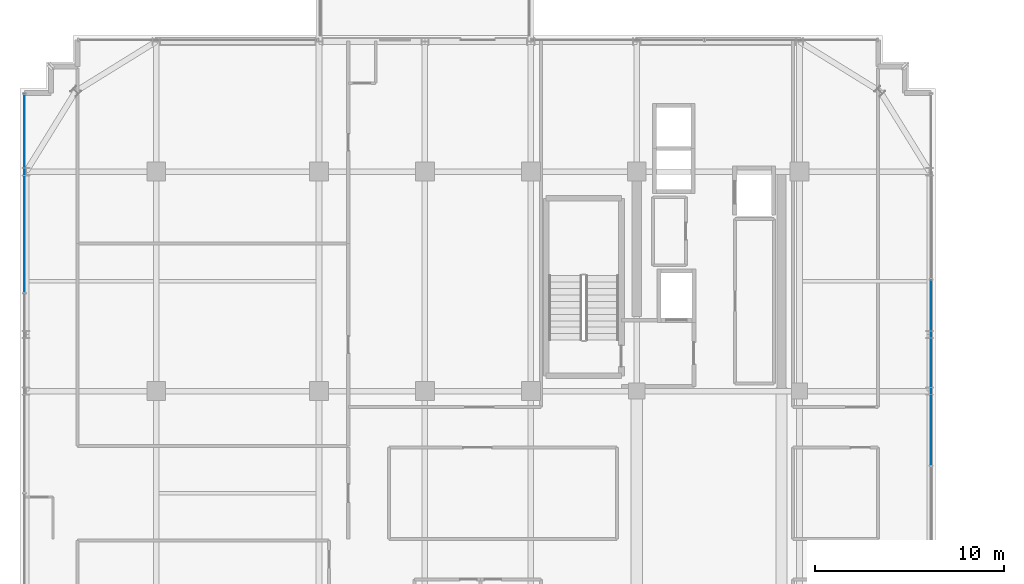
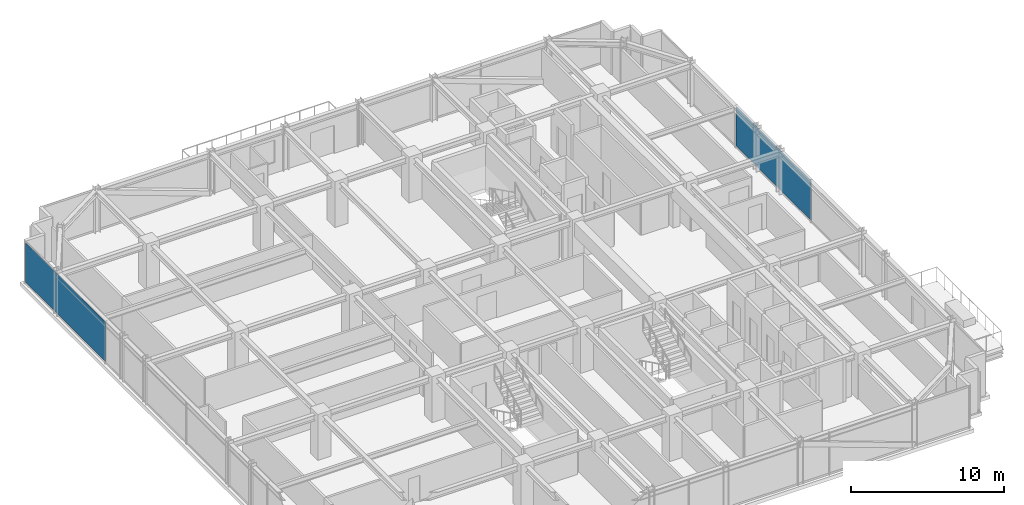
# One storey, part 32 of 42: 2 plates, 2 elements without a shape of their own.
"""IFC4 building model written with IfcOpenShell, lengths in metres."""

from ifc_helpers import new_model, si_unit, direction, frame, origin, origin_2d, place, context, subcontext, project, spatial, rectangle, extrude, source, transform, mapped, material, layer, layer_set, type_object, element, aggregate, save


model = new_model("IFC4")

# Units and contexts
model_context = context("Model", 3, precision=1e-05, world=origin(), true_north=direction((0.0, 1.0)))
body_context = subcontext(model_context, "Body", "Model", "MODEL_VIEW")
ifc_project = project(units=[si_unit("LENGTHUNIT", "METRE"), si_unit("AREAUNIT", "SQUARE_METRE"), si_unit("VOLUMEUNIT", "CUBIC_METRE"), si_unit("PLANEANGLEUNIT", "RADIAN"), si_unit("MASSUNIT", "GRAM", prefix="KILO")], contexts=[model_context])

# Site, building, storey
site_placement = place(None, origin())
site = spatial("IfcSite", under=ifc_project, at=site_placement, CompositionType="ELEMENT")
building_placement = place(site_placement, origin())
building = spatial("IfcBuilding", under=site, at=building_placement, Name="Nahalor Promenade Grand Hotel", CompositionType="ELEMENT")
storey_placement = place(building_placement, frame((0.0, 0.0, 249.300048828125)))
storey = spatial("IfcBuildingStorey", under=building, at=storey_placement, Name="L64", CompositionType="ELEMENT", Elevation=249.300048828125)

# Curtain wall, plate
ifc_material_1 = material(Name="Anodised Bronze Aluminium EN AW-6063 T6", Category="aluminium")
curtain_wall_type = type_object("IfcCurtainWallType", Name="CW2 Typical Hotel Flush Bronze Unitised Curtain Wall", PredefinedType="USERDEFINED", material=ifc_material_1)
curtain_wall_1_placement = place(storey_placement, origin())
curtain_wall_1 = element("IfcCurtainWall", 1, at=curtain_wall_1_placement, inside=storey, type_object=curtain_wall_type, Name="L64 Curtain Wall CW-L64-W-1", ObjectType="UNITISED_CURTAIN_WALL", PredefinedType="USERDEFINED")
ifc_material_2 = material(Name="Low-E Laminated Solar Glass", Category="glass")
ifc_layer = layer(ifc_material_2, 0.028076171875)
ifc_layer_set = layer_set([ifc_layer], Name="Low-E Laminated Solar Glass")
plate_type = type_object("IfcPlateType", Name="CWP2 Bronze Low-E Vision IGU 28mm", PredefinedType="CURTAIN_PANEL", material=ifc_layer_set)
shared_shape_1 = source(origin(), body_context, "Body", "SweptSolid", [
    extrude(rectangle(XDim=10.482421875, YDim=0.028076171875, at=origin_2d()), origin(), (0.0, 0.0, 1.0), 3.14990234375),
])
plate_1_placement = place(storey_placement, frame((-23.9599609375, 15.853759765625, 0.1298828125), z_axis=(0.0, 0.0, 1.0), x_axis=(0.0, 1.0, 0.0)))
plate_1 = element("IfcPlate", 2, at=plate_1_placement, type_object=plate_type, Name="CW-L64-W-1 Glazing Panel 3-0", PredefinedType="CURTAIN_PANEL", context=body_context, shape_type="MappedRepresentation", body=[
    mapped(shared_shape_1, transform((0.0, 0.0, 0.0), scale=1.0)),
])
aggregate(curtain_wall_1, [plate_1])

curtain_wall_2_placement = place(storey_placement, origin())
curtain_wall_2 = element("IfcCurtainWall", 3, at=curtain_wall_2_placement, inside=storey, type_object=curtain_wall_type, Name="L64 Curtain Wall CW-L64-E-3", ObjectType="UNITISED_CURTAIN_WALL", PredefinedType="USERDEFINED")
shared_shape_2 = source(origin(), body_context, "Body", "SweptSolid", [
    extrude(rectangle(XDim=9.788330078125, YDim=0.028076171875, at=origin_2d()), origin(), (0.0, 0.0, 1.0), 3.14990234375),
])
plate_2_placement = place(storey_placement, frame((23.9599609375, 6.3798828125, 0.1298828125), z_axis=(0.0, 0.0, 1.0), x_axis=(0.0, 1.0, 0.0)))
plate_2 = element("IfcPlate", 4, at=plate_2_placement, type_object=plate_type, Name="CW-L64-E-3 Glazing Panel 1-0", PredefinedType="CURTAIN_PANEL", context=body_context, shape_type="MappedRepresentation", body=[
    mapped(shared_shape_2, transform((0.0, 0.0, 0.0), scale=1.0)),
])
aggregate(curtain_wall_2, [plate_2])

save(model, "model.ifc")
